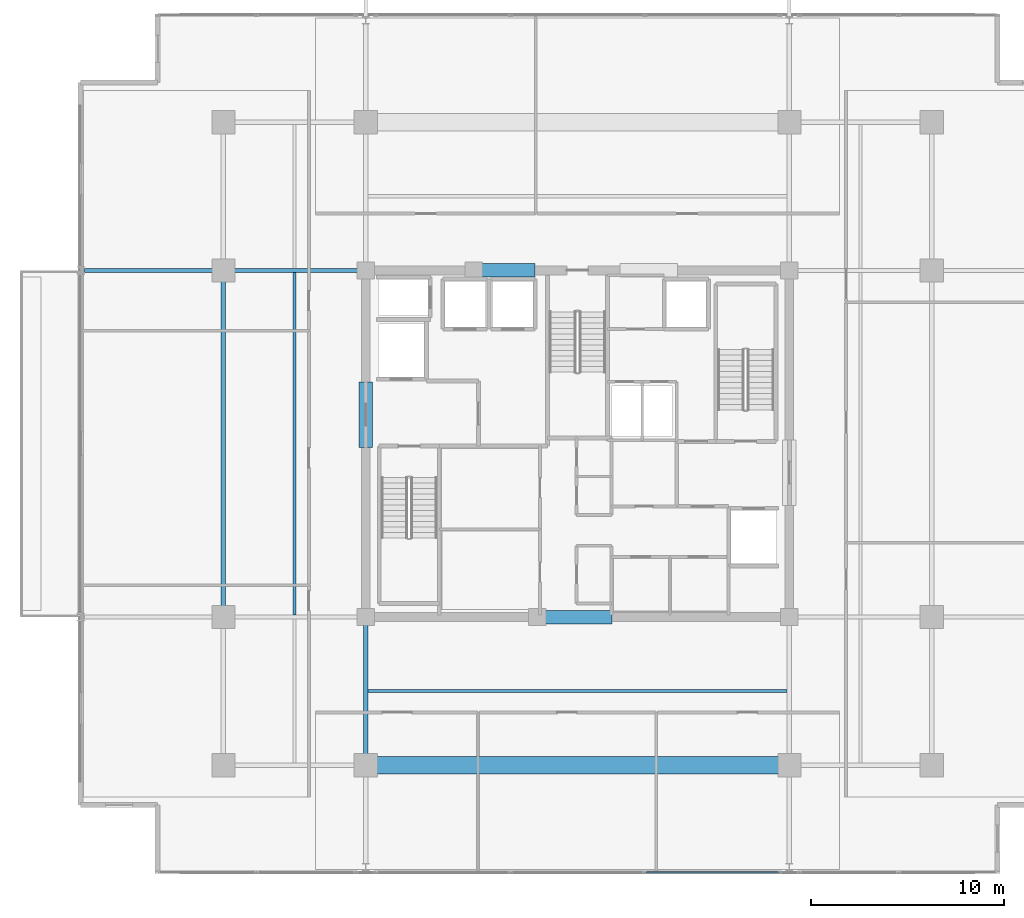
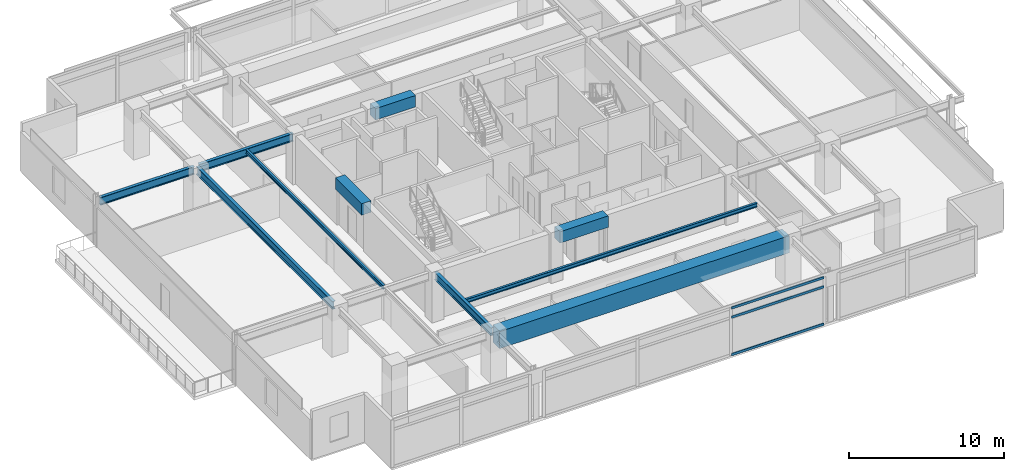
# One storey, part 4 of 20: 10 beams, 3 members, 1 element without a shape of its own.
"""IFC4 building model written with IfcOpenShell, lengths in metres."""

from ifc_helpers import new_model, si_unit, direction, frame, origin, origin_2d, place, context, subcontext, project, spatial, rectangle, hollow_rectangle, i_section, extrude, material, material_profile, profile_set, type_object, element, aggregate, save


model = new_model("IFC4")

# Units and contexts
model_context = context("Model", 3, precision=1e-05, world=origin(), true_north=direction((0.0, 1.0)))
body_context = subcontext(model_context, "Body", "Model", "MODEL_VIEW")
ifc_project = project(units=[si_unit("LENGTHUNIT", "METRE"), si_unit("AREAUNIT", "SQUARE_METRE"), si_unit("VOLUMEUNIT", "CUBIC_METRE"), si_unit("PLANEANGLEUNIT", "RADIAN"), si_unit("MASSUNIT", "GRAM", prefix="KILO")], contexts=[model_context])

# Site, building, storey
site_placement = place(None, origin())
site = spatial("IfcSite", under=ifc_project, at=site_placement, CompositionType="ELEMENT")
building_placement = place(site_placement, origin())
building = spatial("IfcBuilding", under=site, at=building_placement, Name="Kovane Verandah Tower", CompositionType="ELEMENT")
storey_placement = place(building_placement, frame((0.0, 0.0, 279.199951171875)))
storey = spatial("IfcBuildingStorey", under=building, at=storey_placement, Name="L65", CompositionType="ELEMENT", Elevation=279.199951171875)

# Beams
ifc_material_1 = material(Name="Concrete C60/75", Category="concrete")
ifc_material_profile_1 = material_profile(ifc_material_1, rectangle(XDim=0.699951171875, YDim=0.89990234375, at=origin_2d()), Name="RCB700x900")
ifc_profile_set_1 = profile_set([ifc_material_profile_1], Name="Concrete C60/75")
beam_type_1 = type_object("IfcBeamType", Name="BM-LINTEL-700x900", PredefinedType="LINTEL", material=ifc_profile_set_1)
beam_1_placement = place(storey_placement, frame((38.199951171875, 18.5, 3.3349609375), z_axis=(1.0, 0.0, 0.0), x_axis=(0.0, 1.0, 0.0)))
element("IfcBeam", 1, at=beam_1_placement, inside=storey, type_object=beam_type_1, Name="L65 Core Coupling Lintel CL-S", PredefinedType="LINTEL", context=body_context, shape_type="SweptSolid", body=[
    extrude(rectangle(XDim=0.699951171875, YDim=0.89990234375, at=origin_2d()), origin(), (0.0, 0.0, 1.0), 3.60009765625),
])
beam_2_placement = place(storey_placement, frame((34.800048828125, 36.5, 3.3349609375), z_axis=(1.0, 0.0, 0.0), x_axis=(0.0, 1.0, 0.0)))
element("IfcBeam", 2, at=beam_2_placement, inside=storey, type_object=beam_type_1, Name="L65 Core Coupling Lintel CL-N1", PredefinedType="LINTEL", context=body_context, shape_type="SweptSolid", body=[
    extrude(rectangle(XDim=0.699951171875, YDim=0.89990234375, at=origin_2d()), origin(), (0.0, 0.0, 1.0), 3.0),
])
beam_3_placement = place(storey_placement, frame((29.0, 27.300048828125, 3.3349609375), z_axis=(0.0, 1.0, 0.0), x_axis=(-1.0, 0.0, 0.0)))
element("IfcBeam", 3, at=beam_3_placement, inside=storey, type_object=beam_type_1, Name="L65 Core Coupling Lintel CL-W", PredefinedType="LINTEL", context=body_context, shape_type="SweptSolid", body=[
    extrude(rectangle(XDim=0.699951171875, YDim=0.89990234375, at=origin_2d()), origin(), (0.0, 0.0, 1.0), 3.39990234375),
])
ifc_material_2 = material(Name="Concrete C80/95", Category="concrete")
ifc_material_profile_2 = material_profile(ifc_material_2, rectangle(XDim=0.89990234375, YDim=1.35009765625, at=origin_2d()), Name="RCB900x1350")
ifc_profile_set_2 = profile_set([ifc_material_profile_2], Name="Concrete C80/95")
beam_type_2 = type_object("IfcBeamType", Name="BM-TR-900x1350", PredefinedType="BEAM", material=ifc_profile_set_2)
beam_4_placement = place(storey_placement, frame((29.179931640625, 10.800048828125, 3.110107421875), z_axis=(1.0, 0.0, 0.0), x_axis=(0.0, 1.0, 0.0)))
element("IfcBeam", 4, at=beam_4_placement, inside=storey, type_object=beam_type_2, Name="L65 Primary Tower Girder G-RS2", PredefinedType="BEAM", context=body_context, shape_type="SweptSolid", body=[
    extrude(rectangle(XDim=0.89990234375, YDim=1.35009765625, at=origin_2d()), origin(), (0.0, 0.0, 1.0), 21.64013671875),
])
ifc_material_3 = material(Name="Steel S355", Category="steel")
ifc_material_profile_3 = material_profile(ifc_material_3, i_section(OverallWidth=0.230224609375, OverallDepth=0.6171875, WebThickness=0.01318359375, FlangeThickness=0.022216796875, FilletRadius=0.0126953125, at=origin_2d()), Name="UB610x229x140")
ifc_profile_set_3 = profile_set([ifc_material_profile_3], Name="Steel S355")
beam_type_3 = type_object("IfcBeamType", Name="BM-UB610x140", PredefinedType="BEAM", material=ifc_profile_set_3)
beam_5_placement = place(storey_placement, frame((21.60009765625, 18.679931640625, 3.4765625), z_axis=(0.0, 1.0, 0.0), x_axis=(-1.0, 0.0, 0.0)))
element("IfcBeam", 5, at=beam_5_placement, inside=storey, type_object=beam_type_3, Name="L65 Primary Tower Girder G-RW2", PredefinedType="BEAM", context=body_context, shape_type="SweptSolid", body=[
    extrude(i_section(OverallWidth=0.230224609375, OverallDepth=0.6171875, WebThickness=0.01318359375, FlangeThickness=0.022216796875, FilletRadius=0.0126953125, at=origin_2d()), origin(), (0.0, 0.0, 1.0), 17.64013671875),
])
beam_6_placement = place(storey_placement, frame((28.820068359375, 36.5, 3.4765625), z_axis=(-1.0, 0.0, 0.0), x_axis=(0.0, -1.0, 0.0)))
element("IfcBeam", 6, at=beam_6_placement, inside=storey, type_object=beam_type_3, Name="L65 Primary Tower Girder G-W2", PredefinedType="BEAM", context=body_context, shape_type="SweptSolid", body=[
    extrude(i_section(OverallWidth=0.230224609375, OverallDepth=0.6171875, WebThickness=0.01318359375, FlangeThickness=0.022216796875, FilletRadius=0.0126953125, at=origin_2d()), origin(), (0.0, 0.0, 1.0), 7.0400390625),
])
beam_7_placement = place(storey_placement, frame((29.0, 18.320068359375, 3.4765625), z_axis=(0.0, -1.0, 0.0), x_axis=(1.0, 0.0, 0.0)))
element("IfcBeam", 7, at=beam_7_placement, inside=storey, type_object=beam_type_3, Name="L65 Primary Tower Girder G-S1", PredefinedType="BEAM", context=body_context, shape_type="SweptSolid", body=[
    extrude(i_section(OverallWidth=0.230224609375, OverallDepth=0.6171875, WebThickness=0.01318359375, FlangeThickness=0.022216796875, FilletRadius=0.0126953125, at=origin_2d()), origin(), (0.0, 0.0, 1.0), 7.340087890625),
])
beam_8_placement = place(storey_placement, frame((21.419921875, 36.5, 3.451416015625), z_axis=(-1.0, 0.0, 0.0), x_axis=(0.0, -1.0, 0.0)))
element("IfcBeam", 8, at=beam_8_placement, inside=storey, type_object=beam_type_3, Name="L65 Primary Tower Girder G-VW2", PredefinedType="BEAM", context=body_context, shape_type="SweptSolid", body=[
    extrude(i_section(OverallWidth=0.230224609375, OverallDepth=0.6171875, WebThickness=0.01318359375, FlangeThickness=0.022216796875, FilletRadius=0.0126953125, at=origin_2d()), origin(), (0.0, 0.0, 1.0), 7.0400390625),
])

# Curtain wall, members
ifc_material_4 = material(Name="Champagne Anodised Aluminium Frame with Low-E Clear Laminated Glass", Category="aluminium")
curtain_wall_type = type_object("IfcCurtainWallType", Name="CW-SYS-05-HIGH", PredefinedType="NOTDEFINED", material=ifc_material_4)
curtain_wall_placement = place(storey_placement, origin())
curtain_wall = element("IfcCurtainWall", 9, at=curtain_wall_placement, inside=storey, type_object=curtain_wall_type, Name="L65 S Unitised Curtain Wall-2", PredefinedType="NOTDEFINED")
ifc_material_5 = material(Name="Champagne Anodised Aluminium 6063-T6", Category="aluminium")
ifc_material_profile_4 = material_profile(ifc_material_5, hollow_rectangle(XDim=0.0849609375, YDim=0.18994140625, WallThickness=0.00390625, at=origin_2d()), Name="AL85x190x4")
ifc_profile_set_4 = profile_set([ifc_material_profile_4], Name="Champagne Anodised Aluminium 6063-T6")
member_type = type_object("IfcMemberType", Name="CW-TRN-85x190", PredefinedType="USERDEFINED", material=ifc_profile_set_4)
member_1_placement = place(storey_placement, frame((43.543212890625, 5.24365234375, 0.050048828125), z_axis=(1.0, 0.0, 0.0), x_axis=(0.0, 1.0, 0.0)))
member_1 = element("IfcMember", 10, at=member_1_placement, type_object=member_type, Name="L65 S Unitised Curtain Wall-2 Transom TB Bay 3", ObjectType="TRANSOM", PredefinedType="USERDEFINED", context=body_context, shape_type="SweptSolid", body=[
    extrude(hollow_rectangle(XDim=0.0849609375, YDim=0.18994140625, WallThickness=0.00390625, at=origin_2d()), origin(), (0.0, 0.0, 1.0), 6.88671875),
])
member_2_placement = place(storey_placement, frame((43.543212890625, 5.24365234375, 3.005126953125), z_axis=(1.0, 0.0, 0.0), x_axis=(0.0, 1.0, 0.0)))
member_2 = element("IfcMember", 11, at=member_2_placement, type_object=member_type, Name="L65 S Unitised Curtain Wall-2 Transom TM Bay 3", ObjectType="TRANSOM", PredefinedType="USERDEFINED", context=body_context, shape_type="SweptSolid", body=[
    extrude(hollow_rectangle(XDim=0.0849609375, YDim=0.18994140625, WallThickness=0.00390625, at=origin_2d()), origin(), (0.0, 0.0, 1.0), 6.88671875),
])
member_3_placement = place(storey_placement, frame((43.543212890625, 5.24365234375, 3.735107421875), z_axis=(1.0, 0.0, 0.0), x_axis=(0.0, 1.0, 0.0)))
member_3 = element("IfcMember", 12, at=member_3_placement, type_object=member_type, Name="L65 S Unitised Curtain Wall-2 Transom TT Bay 3", ObjectType="TRANSOM", PredefinedType="USERDEFINED", context=body_context, shape_type="SweptSolid", body=[
    extrude(hollow_rectangle(XDim=0.0849609375, YDim=0.18994140625, WallThickness=0.00390625, at=origin_2d()), origin(), (0.0, 0.0, 1.0), 6.88671875),
])
aggregate(curtain_wall, [member_1, member_2, member_3])

# Beams
ifc_material_profile_5 = material_profile(ifc_material_3, i_section(OverallWidth=0.1669921875, OverallDepth=0.310302734375, WebThickness=0.0078125, FlangeThickness=0.013671875, FilletRadius=0.0087890625, at=origin_2d()), Name="UB305x165x54")
ifc_profile_set_5 = profile_set([ifc_material_profile_5], Name="Steel S355")
beam_type_4 = type_object("IfcBeamType", Name="JST-UB305x54", PredefinedType="JOIST", material=ifc_profile_set_5)
beam_9_placement = place(storey_placement, frame((29.113037109375, 14.64990234375, 3.6298828125), z_axis=(1.0, 0.0, 0.0), x_axis=(0.0, 1.0, 0.0)))
element("IfcBeam", 13, at=beam_9_placement, inside=storey, type_object=beam_type_4, Name="L65 Secondary Composite Joist J-S1", PredefinedType="JOIST", context=body_context, shape_type="SweptSolid", body=[
    extrude(i_section(OverallWidth=0.1669921875, OverallDepth=0.310302734375, WebThickness=0.0078125, FlangeThickness=0.013671875, FilletRadius=0.0087890625, at=origin_2d()), origin(), (0.0, 0.0, 1.0), 21.77392578125),
])
beam_10_placement = place(storey_placement, frame((25.300048828125, 18.613037109375, 3.6298828125), z_axis=(0.0, 1.0, 0.0), x_axis=(-1.0, 0.0, 0.0)))
element("IfcBeam", 14, at=beam_10_placement, inside=storey, type_object=beam_type_4, Name="L65 Secondary Composite Joist J-W1", PredefinedType="JOIST", context=body_context, shape_type="SweptSolid", body=[
    extrude(i_section(OverallWidth=0.1669921875, OverallDepth=0.310302734375, WebThickness=0.0078125, FlangeThickness=0.013671875, FilletRadius=0.0087890625, at=origin_2d()), origin(), (0.0, 0.0, 1.0), 17.77392578125),
])

save(model, "model.ifc")
